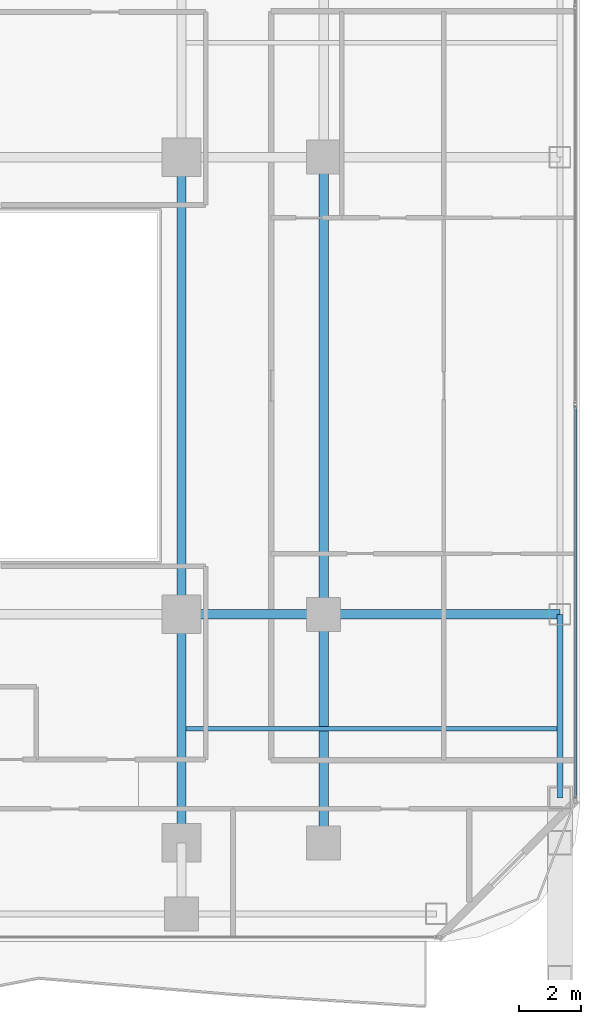
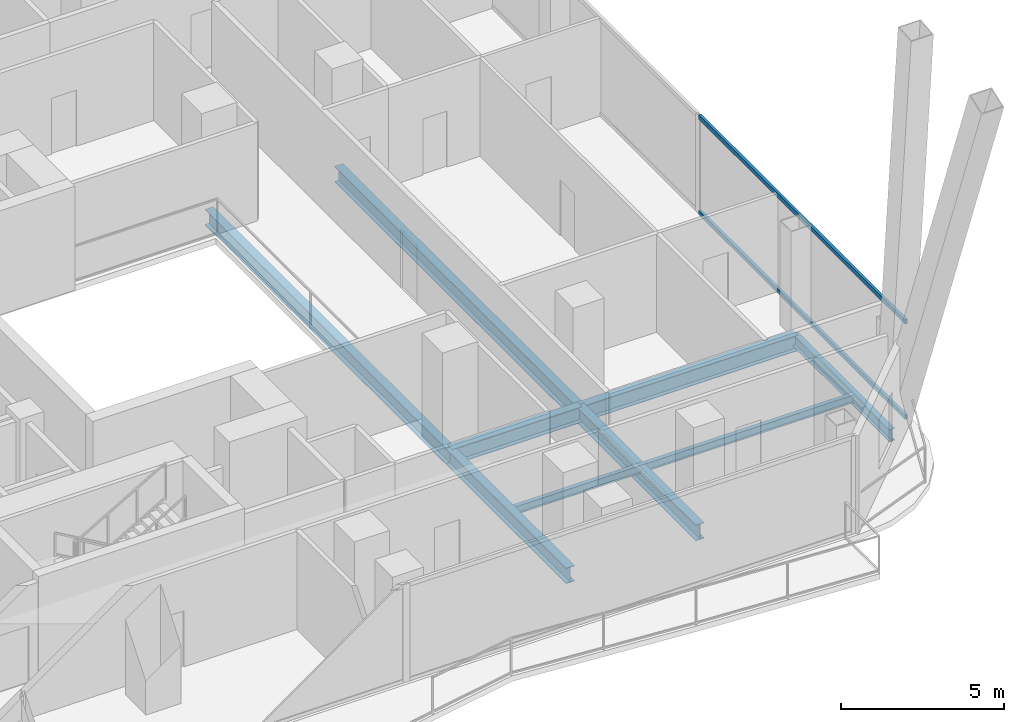
# One storey, part 10 of 28: 8 beams, 2 members, 1 element without a shape of its own.
"""IFC4 building model written with IfcOpenShell, lengths in metres."""

from ifc_helpers import new_model, si_unit, direction, frame, origin, origin_2d, place, context, subcontext, project, spatial, hollow_rectangle, i_section, extrude, material, layer, layer_set, material_profile, profile_set, type_object, element, aggregate, save


model = new_model("IFC4")

# Units and contexts
model_context = context("Model", 3, precision=1e-05, world=origin(), true_north=direction((0.0, 1.0)))
body_context = subcontext(model_context, "Body", "Model", "MODEL_VIEW")
ifc_project = project(units=[si_unit("LENGTHUNIT", "METRE"), si_unit("AREAUNIT", "SQUARE_METRE"), si_unit("VOLUMEUNIT", "CUBIC_METRE"), si_unit("PLANEANGLEUNIT", "RADIAN"), si_unit("MASSUNIT", "GRAM", prefix="KILO")], contexts=[model_context])

# Site, building, storey
site_placement = place(None, origin())
site = spatial("IfcSite", under=ifc_project, at=site_placement, CompositionType="ELEMENT")
building_placement = place(site_placement, origin())
building = spatial("IfcBuilding", under=site, at=building_placement, Name="Khorvyn Point Tower", CompositionType="ELEMENT")
storey_placement = place(building_placement, frame((0.0, 0.0, 121.199951171875)))
storey = spatial("IfcBuildingStorey", under=building, at=storey_placement, Name="L30", CompositionType="ELEMENT", Elevation=121.199951171875)

# Curtain wall, members
ifc_material_1 = material(Name="Anodised aluminium 6063-T6 and laminated Low-E glass", Category="aluminium")
ifc_layer = layer(ifc_material_1, 0.18994140625)
ifc_layer_set = layer_set([ifc_layer], Name="Stick-Built Acoustic Curtain Wall CW-SYS-03")
curtain_wall_type = type_object("IfcCurtainWallType", Name="Stick-Built Acoustic Curtain Wall CW-SYS-03", PredefinedType="NOTDEFINED", material=ifc_layer_set)
curtain_wall_placement = place(storey_placement, origin())
curtain_wall = element("IfcCurtainWall", 1, at=curtain_wall_placement, inside=storey, type_object=curtain_wall_type, Name="Curtain Wall", PredefinedType="NOTDEFINED")
ifc_material_2 = material(Name="Anodised aluminium 6063-T6", Category="aluminium")
ifc_material_profile_1 = material_profile(ifc_material_2, hollow_rectangle(XDim=0.10009765625, YDim=0.159912109375, WallThickness=0.00439453125, at=origin_2d()))
ifc_profile_set_1 = profile_set([ifc_material_profile_1], Name="Anodised aluminium 6063-T6 ALU-TRN-100x160")
member_type = type_object("IfcMemberType", Name="Anodised Aluminium 6063-T6 Transom ALU-TRN-100x160", PredefinedType="USERDEFINED", material=ifc_profile_set_1)
member_1_placement = place(storey_placement, frame((27.550048828125, -0.666748046875, 0.050048828125), z_axis=(0.0, -1.0, 0.0), x_axis=(1.0, 0.0, 0.0)))
member_1 = element("IfcMember", 2, at=member_1_placement, type_object=member_type, Name="Transom", ObjectType="TRANSOM", PredefinedType="USERDEFINED", context=body_context, shape_type="SweptSolid", body=[
    extrude(hollow_rectangle(XDim=0.10009765625, YDim=0.159912109375, WallThickness=0.00439453125, at=origin_2d()), origin(), (0.0, 0.0, 1.0), 12.683349609375),
])
member_2_placement = place(storey_placement, frame((27.550048828125, -0.666748046875, 3.630126953125), z_axis=(0.0, -1.0, 0.0), x_axis=(1.0, 0.0, 0.0)))
member_2 = element("IfcMember", 3, at=member_2_placement, type_object=member_type, Name="Transom", ObjectType="TRANSOM", PredefinedType="USERDEFINED", context=body_context, shape_type="SweptSolid", body=[
    extrude(hollow_rectangle(XDim=0.10009765625, YDim=0.159912109375, WallThickness=0.00439453125, at=origin_2d()), origin(), (0.0, 0.0, 1.0), 12.683349609375),
])
aggregate(curtain_wall, [member_1, member_2])

# Beams
ifc_material_3 = material(Name="Steel S355", Category="steel")
ifc_material_profile_2 = material_profile(ifc_material_3, i_section(OverallWidth=0.300048828125, OverallDepth=0.587890625, WebThickness=0.011962890625, FlangeThickness=0.02001953125, at=origin_2d()))
ifc_profile_set_2 = profile_set([ifc_material_profile_2], Name="Steel S355 H588x300x12x20")
beam_type_1 = type_object("IfcBeamType", Name="Steel S355 Beam H588x300x12x20", PredefinedType="BEAM", material=ifc_profile_set_2)
beam_1_placement = place(storey_placement, frame((14.800048828125, -7.39990234375, -0.513916015625), z_axis=(1.0, 0.0, 0.0), x_axis=(0.0, 1.0, 0.0)))
element("IfcBeam", 4, at=beam_1_placement, inside=storey, type_object=beam_type_1, Name="Beam", PredefinedType="BEAM", context=body_context, shape_type="SweptSolid", body=[
    extrude(i_section(OverallWidth=0.300048828125, OverallDepth=0.587890625, WebThickness=0.011962890625, FlangeThickness=0.02001953125, at=origin_2d()), origin(), (0.0, 0.0, 1.0), 4.599853515625),
])
beam_2_placement = place(storey_placement, frame((19.39990234375, -7.39990234375, -0.513916015625), z_axis=(1.0, 0.0, 0.0), x_axis=(0.0, 1.0, 0.0)))
element("IfcBeam", 5, at=beam_2_placement, inside=storey, type_object=beam_type_1, Name="Beam", PredefinedType="BEAM", context=body_context, shape_type="SweptSolid", body=[
    extrude(i_section(OverallWidth=0.300048828125, OverallDepth=0.587890625, WebThickness=0.011962890625, FlangeThickness=0.02001953125, at=origin_2d()), origin(), (0.0, 0.0, 1.0), 7.650146484375),
])
beam_3_placement = place(storey_placement, frame((14.800048828125, -14.800048828125, -0.513916015625), z_axis=(0.0, 1.0, 0.0), x_axis=(-1.0, 0.0, 0.0)))
element("IfcBeam", 6, at=beam_3_placement, inside=storey, type_object=beam_type_1, Name="Beam", PredefinedType="BEAM", context=body_context, shape_type="SweptSolid", body=[
    extrude(i_section(OverallWidth=0.300048828125, OverallDepth=0.587890625, WebThickness=0.011962890625, FlangeThickness=0.02001953125, at=origin_2d()), origin(), (0.0, 0.0, 1.0), 7.400146484375),
])
beam_4_placement = place(storey_placement, frame((14.800048828125, -7.39990234375, -0.513916015625), z_axis=(0.0, 1.0, 0.0), x_axis=(-1.0, 0.0, 0.0)))
element("IfcBeam", 7, at=beam_4_placement, inside=storey, type_object=beam_type_1, Name="Beam", PredefinedType="BEAM", context=body_context, shape_type="SweptSolid", body=[
    extrude(i_section(OverallWidth=0.300048828125, OverallDepth=0.587890625, WebThickness=0.011962890625, FlangeThickness=0.02001953125, at=origin_2d()), origin(), (0.0, 0.0, 1.0), 14.7998046875),
])
beam_5_placement = place(storey_placement, frame((19.39990234375, -14.800048828125, -0.513916015625), z_axis=(0.0, 1.0, 0.0), x_axis=(-1.0, 0.0, 0.0)))
element("IfcBeam", 8, at=beam_5_placement, inside=storey, type_object=beam_type_1, Name="Beam", PredefinedType="BEAM", context=body_context, shape_type="SweptSolid", body=[
    extrude(i_section(OverallWidth=0.300048828125, OverallDepth=0.587890625, WebThickness=0.011962890625, FlangeThickness=0.02001953125, at=origin_2d()), origin(), (0.0, 0.0, 1.0), 7.400146484375),
])
beam_6_placement = place(storey_placement, frame((19.39990234375, -7.39990234375, -0.513916015625), z_axis=(0.0, 1.0, 0.0), x_axis=(-1.0, 0.0, 0.0)))
element("IfcBeam", 9, at=beam_6_placement, inside=storey, type_object=beam_type_1, Name="Beam", PredefinedType="BEAM", context=body_context, shape_type="SweptSolid", body=[
    extrude(i_section(OverallWidth=0.300048828125, OverallDepth=0.587890625, WebThickness=0.011962890625, FlangeThickness=0.02001953125, at=origin_2d()), origin(), (0.0, 0.0, 1.0), 14.7998046875),
])
ifc_material_profile_3 = material_profile(ifc_material_3, i_section(OverallWidth=0.14990234375, OverallDepth=0.300048828125, WebThickness=0.006591796875, FlangeThickness=0.009033203125, at=origin_2d()))
ifc_profile_set_3 = profile_set([ifc_material_profile_3], Name="Steel S355 H300x150x6.5x9")
beam_type_2 = type_object("IfcBeamType", Name="Steel S355 Joist H300x150x6.5x9", PredefinedType="JOIST", material=ifc_profile_set_3)
beam_7_placement = place(storey_placement, frame((14.949951171875, -11.10009765625, -0.369873046875), z_axis=(1.0, 0.0, 0.0), x_axis=(0.0, 1.0, 0.0)))
element("IfcBeam", 10, at=beam_7_placement, inside=storey, type_object=beam_type_2, Name="Beam", PredefinedType="JOIST", context=body_context, shape_type="SweptSolid", body=[
    extrude(i_section(OverallWidth=0.14990234375, OverallDepth=0.300048828125, WebThickness=0.006591796875, FlangeThickness=0.009033203125, at=origin_2d()), origin(), (0.0, 0.0, 1.0), 12.0),
])
ifc_material_profile_4 = material_profile(ifc_material_3, i_section(OverallWidth=0.199951171875, OverallDepth=0.449951171875, WebThickness=0.009033203125, FlangeThickness=0.013916015625, at=origin_2d()))
ifc_profile_set_4 = profile_set([ifc_material_profile_4], Name="Steel S355 H450x200x9x14")
beam_type_3 = type_object("IfcBeamType", Name="Steel S355 Spandrel H450x200x9x14", PredefinedType="SPANDREL", material=ifc_profile_set_4)
beam_8_placement = place(storey_placement, frame((27.050048828125, -13.35009765625, -0.445068359375), z_axis=(0.0, 1.0, 0.0), x_axis=(-1.0, 0.0, 0.0)))
element("IfcBeam", 11, at=beam_8_placement, inside=storey, type_object=beam_type_3, Name="Beam", PredefinedType="SPANDREL", context=body_context, shape_type="SweptSolid", body=[
    extrude(i_section(OverallWidth=0.199951171875, OverallDepth=0.449951171875, WebThickness=0.009033203125, FlangeThickness=0.013916015625, at=origin_2d()), origin(), (0.0, 0.0, 1.0), 5.9501953125),
])

save(model, "model.ifc")
